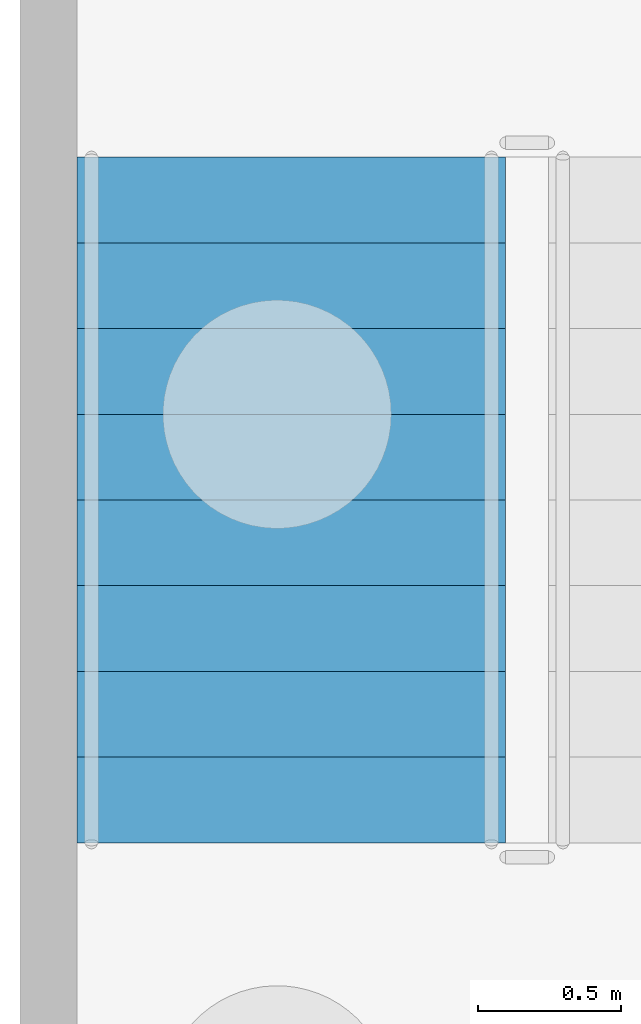
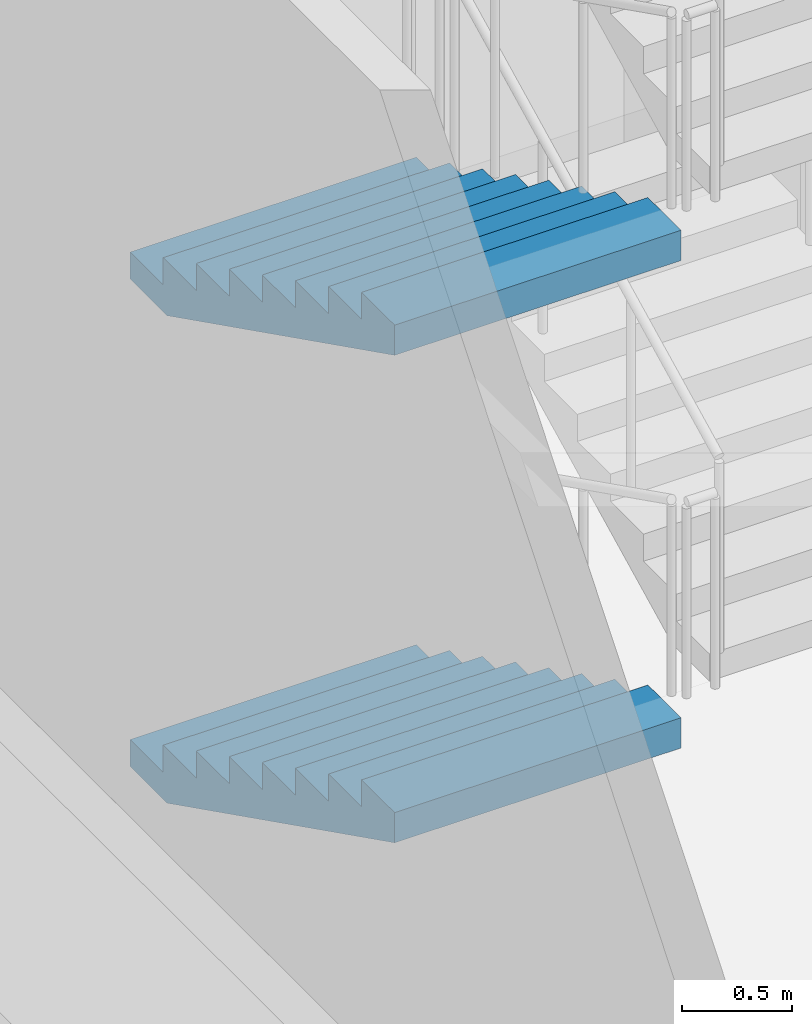
# One storey, part 60 of 129: 2 stair flights, 1 element without a shape of its own.
"""IFC4 building model written with IfcOpenShell, lengths in metres."""

from ifc_helpers import new_model, si_unit, direction, frame, origin, place, context, subcontext, project, spatial, faceted_brep, material, type_object, element, aggregate, save


model = new_model("IFC4")

# Units and contexts
model_context = context("Model", 3, precision=1e-05, world=origin(), true_north=direction((0.0, 1.0)))
body_context = subcontext(model_context, "Body", "Model", "MODEL_VIEW")
ifc_project = project(units=[si_unit("LENGTHUNIT", "METRE"), si_unit("AREAUNIT", "SQUARE_METRE"), si_unit("VOLUMEUNIT", "CUBIC_METRE"), si_unit("PLANEANGLEUNIT", "RADIAN"), si_unit("MASSUNIT", "GRAM", prefix="KILO")], contexts=[model_context])

# Site, building, storey
site_placement = place(None, origin())
site = spatial("IfcSite", under=ifc_project, at=site_placement, CompositionType="ELEMENT")
building_placement = place(site_placement, origin())
building = spatial("IfcBuilding", under=site, at=building_placement, Name="Kiln Court Media Centre", CompositionType="ELEMENT")
storey_placement = place(building_placement, origin())
storey = spatial("IfcBuildingStorey", under=building, at=storey_placement, Name="L00", CompositionType="ELEMENT", Elevation=0.0)

# Stair, stair flights
ifc_material_1 = material(Name="Concrete C40/50", Category="concrete")
stair_type = type_object("IfcStairType", Name="Concrete C40/50 dog-leg stair 1500 wide, 150 riser", PredefinedType="HALF_TURN_STAIR", material=ifc_material_1)
stair_placement = place(storey_placement, origin())
stair = element("IfcStair", 1, at=stair_placement, inside=storey, type_object=stair_type, Name="ST-01 L00", PredefinedType="HALF_TURN_STAIR")
ifc_material_2 = material(Name="Concrete C40/50", Category="concrete")
stair_flight_type = type_object("IfcStairFlightType", Name="Concrete C40/50 stair flight 1500 wide, 150 riser, 300 going", PredefinedType="STRAIGHT", material=ifc_material_2)
stair_flight_1_placement = place(storey_placement, frame((0.949951171875, 6.5, 0.0), z_axis=(0.0, 0.0, 1.0), x_axis=(0.0, -1.0, 0.0)))
stair_flight_1 = element("IfcStairFlight", 2, at=stair_flight_1_placement, type_object=stair_flight_type, Name="L00-ST-5000 flight 5000", NumberOfRisers=9, NumberOfTreads=8, PredefinedType="STRAIGHT", RiserHeight=0.15, TreadLength=0.3, context=body_context, shape_type="Brep", body=[
    faceted_brep([(0.335205078125, -0.75, 0.0), (2.39990234375, -0.75, 1.032470703125), (2.39990234375, -0.75, 1.199951171875), (2.10009765625, -0.75, 1.199951171875), (2.10009765625, -0.75, 1.050048828125), (1.800048828125, -0.75, 1.050048828125), (1.800048828125, -0.75, 0.89990234375), (1.5, -0.75, 0.89990234375), (1.5, -0.75, 0.75), (1.199951171875, -0.75, 0.75), (1.199951171875, -0.75, 0.60009765625), (0.89990234375, -0.75, 0.60009765625), (0.89990234375, -0.75, 0.449951171875), (0.60009765625, -0.75, 0.449951171875), (0.60009765625, -0.75, 0.300048828125), (0.300048828125, -0.75, 0.300048828125), (0.300048828125, -0.75, 0.14990234375), (0.0, -0.75, 0.14990234375), (0.0, -0.75, 0.0), (0.0, 0.75, 0.0), (0.0, 0.75, 0.14990234375), (0.300048828125, 0.75, 0.14990234375), (0.300048828125, 0.75, 0.300048828125), (0.60009765625, 0.75, 0.300048828125), (0.60009765625, 0.75, 0.449951171875), (0.89990234375, 0.75, 0.449951171875), (0.89990234375, 0.75, 0.60009765625), (1.199951171875, 0.75, 0.60009765625), (1.199951171875, 0.75, 0.75), (1.5, 0.75, 0.75), (1.5, 0.75, 0.89990234375), (1.800048828125, 0.75, 0.89990234375), (1.800048828125, 0.75, 1.050048828125), (2.10009765625, 0.75, 1.050048828125), (2.10009765625, 0.75, 1.199951171875), (2.39990234375, 0.75, 1.199951171875), (2.39990234375, 0.75, 1.032470703125), (0.335205078125, 0.75, 0.0), (2.39990234375, 0.10009765625, 1.032470703125), (0.335205078125, 0.10009765625, 0.0), (2.39990234375, 0.080078125, 1.032470703125), (0.335205078125, 0.080078125, 0.0), (2.39990234375, 0.06005859375, 1.032470703125), (0.335205078125, 0.06005859375, 0.0), (2.39990234375, 0.0400390625, 1.032470703125), (0.335205078125, 0.0400390625, 0.0), (2.39990234375, 0.02001953125, 1.032470703125), (0.335205078125, 0.02001953125, 0.0), (2.39990234375, 0.0, 1.032470703125), (0.335205078125, 0.0, 0.0), (2.39990234375, -0.02001953125, 1.032470703125), (0.335205078125, -0.02001953125, 0.0), (2.39990234375, -0.0400390625, 1.032470703125), (0.335205078125, -0.0400390625, 0.0), (2.39990234375, -0.06005859375, 1.032470703125), (0.335205078125, -0.06005859375, 0.0), (2.39990234375, -0.080078125, 1.032470703125), (0.335205078125, -0.080078125, 0.0), (2.39990234375, -0.10009765625, 1.032470703125), (0.335205078125, -0.10009765625, 0.0), (2.39990234375, 0.10009765625, 1.199951171875), (2.39990234375, 0.080078125, 1.199951171875), (2.39990234375, 0.06005859375, 1.199951171875), (2.39990234375, 0.0400390625, 1.199951171875), (2.39990234375, 0.02001953125, 1.199951171875), (2.39990234375, 0.0, 1.199951171875), (2.39990234375, -0.02001953125, 1.199951171875), (2.39990234375, -0.0400390625, 1.199951171875), (2.39990234375, -0.06005859375, 1.199951171875), (2.39990234375, -0.080078125, 1.199951171875), (2.39990234375, -0.10009765625, 1.199951171875), (2.10009765625, 0.10009765625, 1.199951171875), (2.10009765625, 0.080078125, 1.199951171875), (2.10009765625, 0.06005859375, 1.199951171875), (2.10009765625, 0.0400390625, 1.199951171875), (2.10009765625, 0.02001953125, 1.199951171875), (2.10009765625, 0.0, 1.199951171875), (2.10009765625, -0.02001953125, 1.199951171875), (2.10009765625, -0.0400390625, 1.199951171875), (2.10009765625, -0.06005859375, 1.199951171875), (2.10009765625, -0.080078125, 1.199951171875), (2.10009765625, -0.10009765625, 1.199951171875), (2.10009765625, 0.10009765625, 1.050048828125), (2.10009765625, 0.080078125, 1.050048828125), (2.10009765625, 0.06005859375, 1.050048828125), (2.10009765625, 0.0400390625, 1.050048828125), (2.10009765625, 0.02001953125, 1.050048828125), (2.10009765625, 0.0, 1.050048828125), (2.10009765625, -0.02001953125, 1.050048828125), (2.10009765625, -0.0400390625, 1.050048828125), (2.10009765625, -0.06005859375, 1.050048828125), (2.10009765625, -0.080078125, 1.050048828125), (2.10009765625, -0.10009765625, 1.050048828125), (1.800048828125, 0.10009765625, 1.050048828125), (1.800048828125, 0.080078125, 1.050048828125), (1.800048828125, 0.06005859375, 1.050048828125), (1.800048828125, 0.0400390625, 1.050048828125), (1.800048828125, 0.02001953125, 1.050048828125), (1.800048828125, 0.0, 1.050048828125), (1.800048828125, -0.02001953125, 1.050048828125), (1.800048828125, -0.0400390625, 1.050048828125), (1.800048828125, -0.06005859375, 1.050048828125), (1.800048828125, -0.080078125, 1.050048828125), (1.800048828125, -0.10009765625, 1.050048828125), (1.800048828125, 0.10009765625, 0.89990234375), (1.800048828125, 0.080078125, 0.89990234375), (1.800048828125, 0.06005859375, 0.89990234375), (1.800048828125, 0.0400390625, 0.89990234375), (1.800048828125, 0.02001953125, 0.89990234375), (1.800048828125, 0.0, 0.89990234375), (1.800048828125, -0.02001953125, 0.89990234375), (1.800048828125, -0.0400390625, 0.89990234375), (1.800048828125, -0.06005859375, 0.89990234375), (1.800048828125, -0.080078125, 0.89990234375), (1.800048828125, -0.10009765625, 0.89990234375), (1.5, 0.10009765625, 0.89990234375), (1.5, 0.080078125, 0.89990234375), (1.5, 0.06005859375, 0.89990234375), (1.5, 0.0400390625, 0.89990234375), (1.5, 0.02001953125, 0.89990234375), (1.5, 0.0, 0.89990234375), (1.5, -0.02001953125, 0.89990234375), (1.5, -0.0400390625, 0.89990234375), (1.5, -0.06005859375, 0.89990234375), (1.5, -0.080078125, 0.89990234375), (1.5, -0.10009765625, 0.89990234375), (1.5, 0.10009765625, 0.75), (1.5, 0.080078125, 0.75), (1.5, 0.06005859375, 0.75), (1.5, 0.0400390625, 0.75), (1.5, 0.02001953125, 0.75), (1.5, 0.0, 0.75), (1.5, -0.02001953125, 0.75), (1.5, -0.0400390625, 0.75), (1.5, -0.06005859375, 0.75), (1.5, -0.080078125, 0.75), (1.5, -0.10009765625, 0.75), (1.199951171875, 0.10009765625, 0.75), (1.199951171875, 0.080078125, 0.75), (1.199951171875, 0.06005859375, 0.75), (1.199951171875, 0.0400390625, 0.75), (1.199951171875, 0.02001953125, 0.75), (1.199951171875, 0.0, 0.75), (1.199951171875, -0.02001953125, 0.75), (1.199951171875, -0.0400390625, 0.75), (1.199951171875, -0.06005859375, 0.75), (1.199951171875, -0.080078125, 0.75), (1.199951171875, -0.10009765625, 0.75), (1.199951171875, 0.10009765625, 0.60009765625), (1.199951171875, 0.080078125, 0.60009765625), (1.199951171875, 0.06005859375, 0.60009765625), (1.199951171875, 0.0400390625, 0.60009765625), (1.199951171875, 0.02001953125, 0.60009765625), (1.199951171875, 0.0, 0.60009765625), (1.199951171875, -0.02001953125, 0.60009765625), (1.199951171875, -0.0400390625, 0.60009765625), (1.199951171875, -0.06005859375, 0.60009765625), (1.199951171875, -0.080078125, 0.60009765625), (1.199951171875, -0.10009765625, 0.60009765625), (0.89990234375, 0.10009765625, 0.60009765625), (0.89990234375, 0.080078125, 0.60009765625), (0.89990234375, 0.06005859375, 0.60009765625), (0.89990234375, 0.0400390625, 0.60009765625), (0.89990234375, 0.02001953125, 0.60009765625), (0.89990234375, 0.0, 0.60009765625), (0.89990234375, -0.02001953125, 0.60009765625), (0.89990234375, -0.0400390625, 0.60009765625), (0.89990234375, -0.06005859375, 0.60009765625), (0.89990234375, -0.080078125, 0.60009765625), (0.89990234375, -0.10009765625, 0.60009765625), (0.89990234375, 0.10009765625, 0.449951171875), (0.89990234375, 0.080078125, 0.449951171875), (0.89990234375, 0.06005859375, 0.449951171875), (0.89990234375, 0.0400390625, 0.449951171875), (0.89990234375, 0.02001953125, 0.449951171875), (0.89990234375, 0.0, 0.449951171875), (0.89990234375, -0.02001953125, 0.449951171875), (0.89990234375, -0.0400390625, 0.449951171875), (0.89990234375, -0.06005859375, 0.449951171875), (0.89990234375, -0.080078125, 0.449951171875), (0.89990234375, -0.10009765625, 0.449951171875), (0.60009765625, 0.10009765625, 0.449951171875), (0.60009765625, 0.080078125, 0.449951171875), (0.60009765625, 0.06005859375, 0.449951171875), (0.60009765625, 0.0400390625, 0.449951171875), (0.60009765625, 0.02001953125, 0.449951171875), (0.60009765625, 0.0, 0.449951171875), (0.60009765625, -0.02001953125, 0.449951171875), (0.60009765625, -0.0400390625, 0.449951171875), (0.60009765625, -0.06005859375, 0.449951171875), (0.60009765625, -0.080078125, 0.449951171875), (0.60009765625, -0.10009765625, 0.449951171875), (0.60009765625, 0.10009765625, 0.300048828125), (0.60009765625, 0.080078125, 0.300048828125), (0.60009765625, 0.06005859375, 0.300048828125), (0.60009765625, 0.0400390625, 0.300048828125), (0.60009765625, 0.02001953125, 0.300048828125), (0.60009765625, 0.0, 0.300048828125), (0.60009765625, -0.02001953125, 0.300048828125), (0.60009765625, -0.0400390625, 0.300048828125), (0.60009765625, -0.06005859375, 0.300048828125), (0.60009765625, -0.080078125, 0.300048828125), (0.60009765625, -0.10009765625, 0.300048828125), (0.300048828125, 0.10009765625, 0.300048828125), (0.300048828125, 0.080078125, 0.300048828125), (0.300048828125, 0.06005859375, 0.300048828125), (0.300048828125, 0.0400390625, 0.300048828125), (0.300048828125, 0.02001953125, 0.300048828125), (0.300048828125, 0.0, 0.300048828125), (0.300048828125, -0.02001953125, 0.300048828125), (0.300048828125, -0.0400390625, 0.300048828125), (0.300048828125, -0.06005859375, 0.300048828125), (0.300048828125, -0.080078125, 0.300048828125), (0.300048828125, -0.10009765625, 0.300048828125), (0.300048828125, 0.10009765625, 0.14990234375), (0.300048828125, 0.080078125, 0.14990234375), (0.300048828125, 0.06005859375, 0.14990234375), (0.300048828125, 0.0400390625, 0.14990234375), (0.300048828125, 0.02001953125, 0.14990234375), (0.300048828125, 0.0, 0.14990234375), (0.300048828125, -0.02001953125, 0.14990234375), (0.300048828125, -0.0400390625, 0.14990234375), (0.300048828125, -0.06005859375, 0.14990234375), (0.300048828125, -0.080078125, 0.14990234375), (0.300048828125, -0.10009765625, 0.14990234375), (0.0, 0.10009765625, 0.14990234375), (0.0, 0.080078125, 0.14990234375), (0.0, 0.06005859375, 0.14990234375), (0.0, 0.0400390625, 0.14990234375), (0.0, 0.02001953125, 0.14990234375), (0.0, 0.0, 0.14990234375), (0.0, -0.02001953125, 0.14990234375), (0.0, -0.0400390625, 0.14990234375), (0.0, -0.06005859375, 0.14990234375), (0.0, -0.080078125, 0.14990234375), (0.0, -0.10009765625, 0.14990234375), (0.0, 0.10009765625, 0.0), (0.0, 0.080078125, 0.0), (0.0, 0.06005859375, 0.0), (0.0, 0.0400390625, 0.0), (0.0, 0.02001953125, 0.0), (0.0, 0.0, 0.0), (0.0, -0.02001953125, 0.0), (0.0, -0.0400390625, 0.0), (0.0, -0.06005859375, 0.0), (0.0, -0.080078125, 0.0), (0.0, -0.10009765625, 0.0)], [[[0, 1, 2, 3, 4, 5, 6, 7, 8, 9, 10, 11, 12, 13, 14, 15, 16, 17, 18]], [[19, 20, 21, 22, 23, 24, 25, 26, 27, 28, 29, 30, 31, 32, 33, 34, 35, 36, 37]], [[37, 36, 38, 39]], [[39, 38, 40, 41]], [[41, 40, 42, 43]], [[43, 42, 44, 45]], [[45, 44, 46, 47]], [[47, 46, 48, 49]], [[49, 48, 50, 51]], [[51, 50, 52, 53]], [[53, 52, 54, 55]], [[55, 54, 56, 57]], [[57, 56, 58, 59]], [[59, 58, 1, 0]], [[36, 35, 60, 38]], [[38, 60, 61, 40]], [[40, 61, 62, 42]], [[42, 62, 63, 44]], [[44, 63, 64, 46]], [[46, 64, 65, 48]], [[48, 65, 66, 50]], [[50, 66, 67, 52]], [[52, 67, 68, 54]], [[54, 68, 69, 56]], [[56, 69, 70, 58]], [[58, 70, 2, 1]], [[35, 34, 71, 60]], [[60, 71, 72, 61]], [[61, 72, 73, 62]], [[62, 73, 74, 63]], [[63, 74, 75, 64]], [[64, 75, 76, 65]], [[65, 76, 77, 66]], [[66, 77, 78, 67]], [[67, 78, 79, 68]], [[68, 79, 80, 69]], [[69, 80, 81, 70]], [[70, 81, 3, 2]], [[34, 33, 82, 71]], [[71, 82, 83, 72]], [[72, 83, 84, 73]], [[73, 84, 85, 74]], [[74, 85, 86, 75]], [[75, 86, 87, 76]], [[76, 87, 88, 77]], [[77, 88, 89, 78]], [[78, 89, 90, 79]], [[79, 90, 91, 80]], [[80, 91, 92, 81]], [[81, 92, 4, 3]], [[33, 32, 93, 82]], [[82, 93, 94, 83]], [[83, 94, 95, 84]], [[84, 95, 96, 85]], [[85, 96, 97, 86]], [[86, 97, 98, 87]], [[87, 98, 99, 88]], [[88, 99, 100, 89]], [[89, 100, 101, 90]], [[90, 101, 102, 91]], [[91, 102, 103, 92]], [[92, 103, 5, 4]], [[32, 31, 104, 93]], [[93, 104, 105, 94]], [[94, 105, 106, 95]], [[95, 106, 107, 96]], [[96, 107, 108, 97]], [[97, 108, 109, 98]], [[98, 109, 110, 99]], [[99, 110, 111, 100]], [[100, 111, 112, 101]], [[101, 112, 113, 102]], [[102, 113, 114, 103]], [[103, 114, 6, 5]], [[31, 30, 115, 104]], [[104, 115, 116, 105]], [[105, 116, 117, 106]], [[106, 117, 118, 107]], [[107, 118, 119, 108]], [[108, 119, 120, 109]], [[109, 120, 121, 110]], [[110, 121, 122, 111]], [[111, 122, 123, 112]], [[112, 123, 124, 113]], [[113, 124, 125, 114]], [[114, 125, 7, 6]], [[30, 29, 126, 115]], [[115, 126, 127, 116]], [[116, 127, 128, 117]], [[117, 128, 129, 118]], [[118, 129, 130, 119]], [[119, 130, 131, 120]], [[120, 131, 132, 121]], [[121, 132, 133, 122]], [[122, 133, 134, 123]], [[123, 134, 135, 124]], [[124, 135, 136, 125]], [[125, 136, 8, 7]], [[29, 28, 137, 126]], [[126, 137, 138, 127]], [[127, 138, 139, 128]], [[128, 139, 140, 129]], [[129, 140, 141, 130]], [[130, 141, 142, 131]], [[131, 142, 143, 132]], [[132, 143, 144, 133]], [[133, 144, 145, 134]], [[134, 145, 146, 135]], [[135, 146, 147, 136]], [[136, 147, 9, 8]], [[28, 27, 148, 137]], [[137, 148, 149, 138]], [[138, 149, 150, 139]], [[139, 150, 151, 140]], [[140, 151, 152, 141]], [[141, 152, 153, 142]], [[142, 153, 154, 143]], [[143, 154, 155, 144]], [[144, 155, 156, 145]], [[145, 156, 157, 146]], [[146, 157, 158, 147]], [[147, 158, 10, 9]], [[27, 26, 159, 148]], [[148, 159, 160, 149]], [[149, 160, 161, 150]], [[150, 161, 162, 151]], [[151, 162, 163, 152]], [[152, 163, 164, 153]], [[153, 164, 165, 154]], [[154, 165, 166, 155]], [[155, 166, 167, 156]], [[156, 167, 168, 157]], [[157, 168, 169, 158]], [[158, 169, 11, 10]], [[26, 25, 170, 159]], [[159, 170, 171, 160]], [[160, 171, 172, 161]], [[161, 172, 173, 162]], [[162, 173, 174, 163]], [[163, 174, 175, 164]], [[164, 175, 176, 165]], [[165, 176, 177, 166]], [[166, 177, 178, 167]], [[167, 178, 179, 168]], [[168, 179, 180, 169]], [[169, 180, 12, 11]], [[25, 24, 181, 170]], [[170, 181, 182, 171]], [[171, 182, 183, 172]], [[172, 183, 184, 173]], [[173, 184, 185, 174]], [[174, 185, 186, 175]], [[175, 186, 187, 176]], [[176, 187, 188, 177]], [[177, 188, 189, 178]], [[178, 189, 190, 179]], [[179, 190, 191, 180]], [[180, 191, 13, 12]], [[24, 23, 192, 181]], [[181, 192, 193, 182]], [[182, 193, 194, 183]], [[183, 194, 195, 184]], [[184, 195, 196, 185]], [[185, 196, 197, 186]], [[186, 197, 198, 187]], [[187, 198, 199, 188]], [[188, 199, 200, 189]], [[189, 200, 201, 190]], [[190, 201, 202, 191]], [[191, 202, 14, 13]], [[23, 22, 203, 192]], [[192, 203, 204, 193]], [[193, 204, 205, 194]], [[194, 205, 206, 195]], [[195, 206, 207, 196]], [[196, 207, 208, 197]], [[197, 208, 209, 198]], [[198, 209, 210, 199]], [[199, 210, 211, 200]], [[200, 211, 212, 201]], [[201, 212, 213, 202]], [[202, 213, 15, 14]], [[22, 21, 214, 203]], [[203, 214, 215, 204]], [[204, 215, 216, 205]], [[205, 216, 217, 206]], [[206, 217, 218, 207]], [[207, 218, 219, 208]], [[208, 219, 220, 209]], [[209, 220, 221, 210]], [[210, 221, 222, 211]], [[211, 222, 223, 212]], [[212, 223, 224, 213]], [[213, 224, 16, 15]], [[21, 20, 225, 214]], [[214, 225, 226, 215]], [[215, 226, 227, 216]], [[216, 227, 228, 217]], [[217, 228, 229, 218]], [[218, 229, 230, 219]], [[219, 230, 231, 220]], [[220, 231, 232, 221]], [[221, 232, 233, 222]], [[222, 233, 234, 223]], [[223, 234, 235, 224]], [[224, 235, 17, 16]], [[20, 19, 236, 225]], [[225, 236, 237, 226]], [[226, 237, 238, 227]], [[227, 238, 239, 228]], [[228, 239, 240, 229]], [[229, 240, 241, 230]], [[230, 241, 242, 231]], [[231, 242, 243, 232]], [[232, 243, 244, 233]], [[233, 244, 245, 234]], [[234, 245, 246, 235]], [[235, 246, 18, 17]], [[19, 37, 39, 236]], [[236, 39, 41, 237]], [[237, 41, 43, 238]], [[238, 43, 45, 239]], [[239, 45, 47, 240]], [[240, 47, 49, 241]], [[241, 49, 51, 242]], [[242, 51, 53, 243]], [[243, 53, 55, 244]], [[244, 55, 57, 245]], [[245, 57, 59, 246]], [[246, 59, 0, 18]]]),
])
stair_flight_2_placement = place(storey_placement, frame((0.949951171875, 6.5, 2.699951171875), z_axis=(0.0, 0.0, 1.0), x_axis=(0.0, -1.0, 0.0)))
stair_flight_2 = element("IfcStairFlight", 3, at=stair_flight_2_placement, type_object=stair_flight_type, Name="L00-ST-5000 flight 5002", NumberOfRisers=9, NumberOfTreads=8, PredefinedType="STRAIGHT", RiserHeight=0.15, TreadLength=0.3, context=body_context, shape_type="Brep", body=[
    faceted_brep([(0.335205078125, -0.75, 0.0), (2.39990234375, -0.75, 1.032470703125), (2.39990234375, -0.75, 1.199951171875), (2.10009765625, -0.75, 1.199951171875), (2.10009765625, -0.75, 1.050048828125), (1.800048828125, -0.75, 1.050048828125), (1.800048828125, -0.75, 0.89990234375), (1.5, -0.75, 0.89990234375), (1.5, -0.75, 0.75), (1.199951171875, -0.75, 0.75), (1.199951171875, -0.75, 0.60009765625), (0.89990234375, -0.75, 0.60009765625), (0.89990234375, -0.75, 0.449951171875), (0.60009765625, -0.75, 0.449951171875), (0.60009765625, -0.75, 0.300048828125), (0.300048828125, -0.75, 0.300048828125), (0.300048828125, -0.75, 0.14990234375), (0.0, -0.75, 0.14990234375), (0.0, -0.75, 0.0), (0.0, 0.75, 0.0), (0.0, 0.75, 0.14990234375), (0.300048828125, 0.75, 0.14990234375), (0.300048828125, 0.75, 0.300048828125), (0.60009765625, 0.75, 0.300048828125), (0.60009765625, 0.75, 0.449951171875), (0.89990234375, 0.75, 0.449951171875), (0.89990234375, 0.75, 0.60009765625), (1.199951171875, 0.75, 0.60009765625), (1.199951171875, 0.75, 0.75), (1.5, 0.75, 0.75), (1.5, 0.75, 0.89990234375), (1.800048828125, 0.75, 0.89990234375), (1.800048828125, 0.75, 1.050048828125), (2.10009765625, 0.75, 1.050048828125), (2.10009765625, 0.75, 1.199951171875), (2.39990234375, 0.75, 1.199951171875), (2.39990234375, 0.75, 1.032470703125), (0.335205078125, 0.75, 0.0), (2.39990234375, 0.10009765625, 1.032470703125), (0.335205078125, 0.10009765625, 0.0), (2.39990234375, 0.080078125, 1.032470703125), (0.335205078125, 0.080078125, 0.0), (2.39990234375, 0.06005859375, 1.032470703125), (0.335205078125, 0.06005859375, 0.0), (2.39990234375, 0.0400390625, 1.032470703125), (0.335205078125, 0.0400390625, 0.0), (2.39990234375, 0.02001953125, 1.032470703125), (0.335205078125, 0.02001953125, 0.0), (2.39990234375, 0.0, 1.032470703125), (0.335205078125, 0.0, 0.0), (2.39990234375, -0.02001953125, 1.032470703125), (0.335205078125, -0.02001953125, 0.0), (2.39990234375, -0.0400390625, 1.032470703125), (0.335205078125, -0.0400390625, 0.0), (2.39990234375, -0.06005859375, 1.032470703125), (0.335205078125, -0.06005859375, 0.0), (2.39990234375, -0.080078125, 1.032470703125), (0.335205078125, -0.080078125, 0.0), (2.39990234375, -0.10009765625, 1.032470703125), (0.335205078125, -0.10009765625, 0.0), (2.39990234375, 0.10009765625, 1.199951171875), (2.39990234375, 0.080078125, 1.199951171875), (2.39990234375, 0.06005859375, 1.199951171875), (2.39990234375, 0.0400390625, 1.199951171875), (2.39990234375, 0.02001953125, 1.199951171875), (2.39990234375, 0.0, 1.199951171875), (2.39990234375, -0.02001953125, 1.199951171875), (2.39990234375, -0.0400390625, 1.199951171875), (2.39990234375, -0.06005859375, 1.199951171875), (2.39990234375, -0.080078125, 1.199951171875), (2.39990234375, -0.10009765625, 1.199951171875), (2.10009765625, 0.10009765625, 1.199951171875), (2.10009765625, 0.080078125, 1.199951171875), (2.10009765625, 0.06005859375, 1.199951171875), (2.10009765625, 0.0400390625, 1.199951171875), (2.10009765625, 0.02001953125, 1.199951171875), (2.10009765625, 0.0, 1.199951171875), (2.10009765625, -0.02001953125, 1.199951171875), (2.10009765625, -0.0400390625, 1.199951171875), (2.10009765625, -0.06005859375, 1.199951171875), (2.10009765625, -0.080078125, 1.199951171875), (2.10009765625, -0.10009765625, 1.199951171875), (2.10009765625, 0.10009765625, 1.050048828125), (2.10009765625, 0.080078125, 1.050048828125), (2.10009765625, 0.06005859375, 1.050048828125), (2.10009765625, 0.0400390625, 1.050048828125), (2.10009765625, 0.02001953125, 1.050048828125), (2.10009765625, 0.0, 1.050048828125), (2.10009765625, -0.02001953125, 1.050048828125), (2.10009765625, -0.0400390625, 1.050048828125), (2.10009765625, -0.06005859375, 1.050048828125), (2.10009765625, -0.080078125, 1.050048828125), (2.10009765625, -0.10009765625, 1.050048828125), (1.800048828125, 0.10009765625, 1.050048828125), (1.800048828125, 0.080078125, 1.050048828125), (1.800048828125, 0.06005859375, 1.050048828125), (1.800048828125, 0.0400390625, 1.050048828125), (1.800048828125, 0.02001953125, 1.050048828125), (1.800048828125, 0.0, 1.050048828125), (1.800048828125, -0.02001953125, 1.050048828125), (1.800048828125, -0.0400390625, 1.050048828125), (1.800048828125, -0.06005859375, 1.050048828125), (1.800048828125, -0.080078125, 1.050048828125), (1.800048828125, -0.10009765625, 1.050048828125), (1.800048828125, 0.10009765625, 0.89990234375), (1.800048828125, 0.080078125, 0.89990234375), (1.800048828125, 0.06005859375, 0.89990234375), (1.800048828125, 0.0400390625, 0.89990234375), (1.800048828125, 0.02001953125, 0.89990234375), (1.800048828125, 0.0, 0.89990234375), (1.800048828125, -0.02001953125, 0.89990234375), (1.800048828125, -0.0400390625, 0.89990234375), (1.800048828125, -0.06005859375, 0.89990234375), (1.800048828125, -0.080078125, 0.89990234375), (1.800048828125, -0.10009765625, 0.89990234375), (1.5, 0.10009765625, 0.89990234375), (1.5, 0.080078125, 0.89990234375), (1.5, 0.06005859375, 0.89990234375), (1.5, 0.0400390625, 0.89990234375), (1.5, 0.02001953125, 0.89990234375), (1.5, 0.0, 0.89990234375), (1.5, -0.02001953125, 0.89990234375), (1.5, -0.0400390625, 0.89990234375), (1.5, -0.06005859375, 0.89990234375), (1.5, -0.080078125, 0.89990234375), (1.5, -0.10009765625, 0.89990234375), (1.5, 0.10009765625, 0.75), (1.5, 0.080078125, 0.75), (1.5, 0.06005859375, 0.75), (1.5, 0.0400390625, 0.75), (1.5, 0.02001953125, 0.75), (1.5, 0.0, 0.75), (1.5, -0.02001953125, 0.75), (1.5, -0.0400390625, 0.75), (1.5, -0.06005859375, 0.75), (1.5, -0.080078125, 0.75), (1.5, -0.10009765625, 0.75), (1.199951171875, 0.10009765625, 0.75), (1.199951171875, 0.080078125, 0.75), (1.199951171875, 0.06005859375, 0.75), (1.199951171875, 0.0400390625, 0.75), (1.199951171875, 0.02001953125, 0.75), (1.199951171875, 0.0, 0.75), (1.199951171875, -0.02001953125, 0.75), (1.199951171875, -0.0400390625, 0.75), (1.199951171875, -0.06005859375, 0.75), (1.199951171875, -0.080078125, 0.75), (1.199951171875, -0.10009765625, 0.75), (1.199951171875, 0.10009765625, 0.60009765625), (1.199951171875, 0.080078125, 0.60009765625), (1.199951171875, 0.06005859375, 0.60009765625), (1.199951171875, 0.0400390625, 0.60009765625), (1.199951171875, 0.02001953125, 0.60009765625), (1.199951171875, 0.0, 0.60009765625), (1.199951171875, -0.02001953125, 0.60009765625), (1.199951171875, -0.0400390625, 0.60009765625), (1.199951171875, -0.06005859375, 0.60009765625), (1.199951171875, -0.080078125, 0.60009765625), (1.199951171875, -0.10009765625, 0.60009765625), (0.89990234375, 0.10009765625, 0.60009765625), (0.89990234375, 0.080078125, 0.60009765625), (0.89990234375, 0.06005859375, 0.60009765625), (0.89990234375, 0.0400390625, 0.60009765625), (0.89990234375, 0.02001953125, 0.60009765625), (0.89990234375, 0.0, 0.60009765625), (0.89990234375, -0.02001953125, 0.60009765625), (0.89990234375, -0.0400390625, 0.60009765625), (0.89990234375, -0.06005859375, 0.60009765625), (0.89990234375, -0.080078125, 0.60009765625), (0.89990234375, -0.10009765625, 0.60009765625), (0.89990234375, 0.10009765625, 0.449951171875), (0.89990234375, 0.080078125, 0.449951171875), (0.89990234375, 0.06005859375, 0.449951171875), (0.89990234375, 0.0400390625, 0.449951171875), (0.89990234375, 0.02001953125, 0.449951171875), (0.89990234375, 0.0, 0.449951171875), (0.89990234375, -0.02001953125, 0.449951171875), (0.89990234375, -0.0400390625, 0.449951171875), (0.89990234375, -0.06005859375, 0.449951171875), (0.89990234375, -0.080078125, 0.449951171875), (0.89990234375, -0.10009765625, 0.449951171875), (0.60009765625, 0.10009765625, 0.449951171875), (0.60009765625, 0.080078125, 0.449951171875), (0.60009765625, 0.06005859375, 0.449951171875), (0.60009765625, 0.0400390625, 0.449951171875), (0.60009765625, 0.02001953125, 0.449951171875), (0.60009765625, 0.0, 0.449951171875), (0.60009765625, -0.02001953125, 0.449951171875), (0.60009765625, -0.0400390625, 0.449951171875), (0.60009765625, -0.06005859375, 0.449951171875), (0.60009765625, -0.080078125, 0.449951171875), (0.60009765625, -0.10009765625, 0.449951171875), (0.60009765625, 0.10009765625, 0.300048828125), (0.60009765625, 0.080078125, 0.300048828125), (0.60009765625, 0.06005859375, 0.300048828125), (0.60009765625, 0.0400390625, 0.300048828125), (0.60009765625, 0.02001953125, 0.300048828125), (0.60009765625, 0.0, 0.300048828125), (0.60009765625, -0.02001953125, 0.300048828125), (0.60009765625, -0.0400390625, 0.300048828125), (0.60009765625, -0.06005859375, 0.300048828125), (0.60009765625, -0.080078125, 0.300048828125), (0.60009765625, -0.10009765625, 0.300048828125), (0.300048828125, 0.10009765625, 0.300048828125), (0.300048828125, 0.080078125, 0.300048828125), (0.300048828125, 0.06005859375, 0.300048828125), (0.300048828125, 0.0400390625, 0.300048828125), (0.300048828125, 0.02001953125, 0.300048828125), (0.300048828125, 0.0, 0.300048828125), (0.300048828125, -0.02001953125, 0.300048828125), (0.300048828125, -0.0400390625, 0.300048828125), (0.300048828125, -0.06005859375, 0.300048828125), (0.300048828125, -0.080078125, 0.300048828125), (0.300048828125, -0.10009765625, 0.300048828125), (0.300048828125, 0.10009765625, 0.14990234375), (0.300048828125, 0.080078125, 0.14990234375), (0.300048828125, 0.06005859375, 0.14990234375), (0.300048828125, 0.0400390625, 0.14990234375), (0.300048828125, 0.02001953125, 0.14990234375), (0.300048828125, 0.0, 0.14990234375), (0.300048828125, -0.02001953125, 0.14990234375), (0.300048828125, -0.0400390625, 0.14990234375), (0.300048828125, -0.06005859375, 0.14990234375), (0.300048828125, -0.080078125, 0.14990234375), (0.300048828125, -0.10009765625, 0.14990234375), (0.0, 0.10009765625, 0.14990234375), (0.0, 0.080078125, 0.14990234375), (0.0, 0.06005859375, 0.14990234375), (0.0, 0.0400390625, 0.14990234375), (0.0, 0.02001953125, 0.14990234375), (0.0, 0.0, 0.14990234375), (0.0, -0.02001953125, 0.14990234375), (0.0, -0.0400390625, 0.14990234375), (0.0, -0.06005859375, 0.14990234375), (0.0, -0.080078125, 0.14990234375), (0.0, -0.10009765625, 0.14990234375), (0.0, 0.10009765625, 0.0), (0.0, 0.080078125, 0.0), (0.0, 0.06005859375, 0.0), (0.0, 0.0400390625, 0.0), (0.0, 0.02001953125, 0.0), (0.0, 0.0, 0.0), (0.0, -0.02001953125, 0.0), (0.0, -0.0400390625, 0.0), (0.0, -0.06005859375, 0.0), (0.0, -0.080078125, 0.0), (0.0, -0.10009765625, 0.0)], [[[0, 1, 2, 3, 4, 5, 6, 7, 8, 9, 10, 11, 12, 13, 14, 15, 16, 17, 18]], [[19, 20, 21, 22, 23, 24, 25, 26, 27, 28, 29, 30, 31, 32, 33, 34, 35, 36, 37]], [[37, 36, 38, 39]], [[39, 38, 40, 41]], [[41, 40, 42, 43]], [[43, 42, 44, 45]], [[45, 44, 46, 47]], [[47, 46, 48, 49]], [[49, 48, 50, 51]], [[51, 50, 52, 53]], [[53, 52, 54, 55]], [[55, 54, 56, 57]], [[57, 56, 58, 59]], [[59, 58, 1, 0]], [[36, 35, 60, 38]], [[38, 60, 61, 40]], [[40, 61, 62, 42]], [[42, 62, 63, 44]], [[44, 63, 64, 46]], [[46, 64, 65, 48]], [[48, 65, 66, 50]], [[50, 66, 67, 52]], [[52, 67, 68, 54]], [[54, 68, 69, 56]], [[56, 69, 70, 58]], [[58, 70, 2, 1]], [[35, 34, 71, 60]], [[60, 71, 72, 61]], [[61, 72, 73, 62]], [[62, 73, 74, 63]], [[63, 74, 75, 64]], [[64, 75, 76, 65]], [[65, 76, 77, 66]], [[66, 77, 78, 67]], [[67, 78, 79, 68]], [[68, 79, 80, 69]], [[69, 80, 81, 70]], [[70, 81, 3, 2]], [[34, 33, 82, 71]], [[71, 82, 83, 72]], [[72, 83, 84, 73]], [[73, 84, 85, 74]], [[74, 85, 86, 75]], [[75, 86, 87, 76]], [[76, 87, 88, 77]], [[77, 88, 89, 78]], [[78, 89, 90, 79]], [[79, 90, 91, 80]], [[80, 91, 92, 81]], [[81, 92, 4, 3]], [[33, 32, 93, 82]], [[82, 93, 94, 83]], [[83, 94, 95, 84]], [[84, 95, 96, 85]], [[85, 96, 97, 86]], [[86, 97, 98, 87]], [[87, 98, 99, 88]], [[88, 99, 100, 89]], [[89, 100, 101, 90]], [[90, 101, 102, 91]], [[91, 102, 103, 92]], [[92, 103, 5, 4]], [[32, 31, 104, 93]], [[93, 104, 105, 94]], [[94, 105, 106, 95]], [[95, 106, 107, 96]], [[96, 107, 108, 97]], [[97, 108, 109, 98]], [[98, 109, 110, 99]], [[99, 110, 111, 100]], [[100, 111, 112, 101]], [[101, 112, 113, 102]], [[102, 113, 114, 103]], [[103, 114, 6, 5]], [[31, 30, 115, 104]], [[104, 115, 116, 105]], [[105, 116, 117, 106]], [[106, 117, 118, 107]], [[107, 118, 119, 108]], [[108, 119, 120, 109]], [[109, 120, 121, 110]], [[110, 121, 122, 111]], [[111, 122, 123, 112]], [[112, 123, 124, 113]], [[113, 124, 125, 114]], [[114, 125, 7, 6]], [[30, 29, 126, 115]], [[115, 126, 127, 116]], [[116, 127, 128, 117]], [[117, 128, 129, 118]], [[118, 129, 130, 119]], [[119, 130, 131, 120]], [[120, 131, 132, 121]], [[121, 132, 133, 122]], [[122, 133, 134, 123]], [[123, 134, 135, 124]], [[124, 135, 136, 125]], [[125, 136, 8, 7]], [[29, 28, 137, 126]], [[126, 137, 138, 127]], [[127, 138, 139, 128]], [[128, 139, 140, 129]], [[129, 140, 141, 130]], [[130, 141, 142, 131]], [[131, 142, 143, 132]], [[132, 143, 144, 133]], [[133, 144, 145, 134]], [[134, 145, 146, 135]], [[135, 146, 147, 136]], [[136, 147, 9, 8]], [[28, 27, 148, 137]], [[137, 148, 149, 138]], [[138, 149, 150, 139]], [[139, 150, 151, 140]], [[140, 151, 152, 141]], [[141, 152, 153, 142]], [[142, 153, 154, 143]], [[143, 154, 155, 144]], [[144, 155, 156, 145]], [[145, 156, 157, 146]], [[146, 157, 158, 147]], [[147, 158, 10, 9]], [[27, 26, 159, 148]], [[148, 159, 160, 149]], [[149, 160, 161, 150]], [[150, 161, 162, 151]], [[151, 162, 163, 152]], [[152, 163, 164, 153]], [[153, 164, 165, 154]], [[154, 165, 166, 155]], [[155, 166, 167, 156]], [[156, 167, 168, 157]], [[157, 168, 169, 158]], [[158, 169, 11, 10]], [[26, 25, 170, 159]], [[159, 170, 171, 160]], [[160, 171, 172, 161]], [[161, 172, 173, 162]], [[162, 173, 174, 163]], [[163, 174, 175, 164]], [[164, 175, 176, 165]], [[165, 176, 177, 166]], [[166, 177, 178, 167]], [[167, 178, 179, 168]], [[168, 179, 180, 169]], [[169, 180, 12, 11]], [[25, 24, 181, 170]], [[170, 181, 182, 171]], [[171, 182, 183, 172]], [[172, 183, 184, 173]], [[173, 184, 185, 174]], [[174, 185, 186, 175]], [[175, 186, 187, 176]], [[176, 187, 188, 177]], [[177, 188, 189, 178]], [[178, 189, 190, 179]], [[179, 190, 191, 180]], [[180, 191, 13, 12]], [[24, 23, 192, 181]], [[181, 192, 193, 182]], [[182, 193, 194, 183]], [[183, 194, 195, 184]], [[184, 195, 196, 185]], [[185, 196, 197, 186]], [[186, 197, 198, 187]], [[187, 198, 199, 188]], [[188, 199, 200, 189]], [[189, 200, 201, 190]], [[190, 201, 202, 191]], [[191, 202, 14, 13]], [[23, 22, 203, 192]], [[192, 203, 204, 193]], [[193, 204, 205, 194]], [[194, 205, 206, 195]], [[195, 206, 207, 196]], [[196, 207, 208, 197]], [[197, 208, 209, 198]], [[198, 209, 210, 199]], [[199, 210, 211, 200]], [[200, 211, 212, 201]], [[201, 212, 213, 202]], [[202, 213, 15, 14]], [[22, 21, 214, 203]], [[203, 214, 215, 204]], [[204, 215, 216, 205]], [[205, 216, 217, 206]], [[206, 217, 218, 207]], [[207, 218, 219, 208]], [[208, 219, 220, 209]], [[209, 220, 221, 210]], [[210, 221, 222, 211]], [[211, 222, 223, 212]], [[212, 223, 224, 213]], [[213, 224, 16, 15]], [[21, 20, 225, 214]], [[214, 225, 226, 215]], [[215, 226, 227, 216]], [[216, 227, 228, 217]], [[217, 228, 229, 218]], [[218, 229, 230, 219]], [[219, 230, 231, 220]], [[220, 231, 232, 221]], [[221, 232, 233, 222]], [[222, 233, 234, 223]], [[223, 234, 235, 224]], [[224, 235, 17, 16]], [[20, 19, 236, 225]], [[225, 236, 237, 226]], [[226, 237, 238, 227]], [[227, 238, 239, 228]], [[228, 239, 240, 229]], [[229, 240, 241, 230]], [[230, 241, 242, 231]], [[231, 242, 243, 232]], [[232, 243, 244, 233]], [[233, 244, 245, 234]], [[234, 245, 246, 235]], [[235, 246, 18, 17]], [[19, 37, 39, 236]], [[236, 39, 41, 237]], [[237, 41, 43, 238]], [[238, 43, 45, 239]], [[239, 45, 47, 240]], [[240, 47, 49, 241]], [[241, 49, 51, 242]], [[242, 51, 53, 243]], [[243, 53, 55, 244]], [[244, 55, 57, 245]], [[245, 57, 59, 246]], [[246, 59, 0, 18]]]),
])
aggregate(stair, [stair_flight_1, stair_flight_2])

save(model, "model.ifc")
